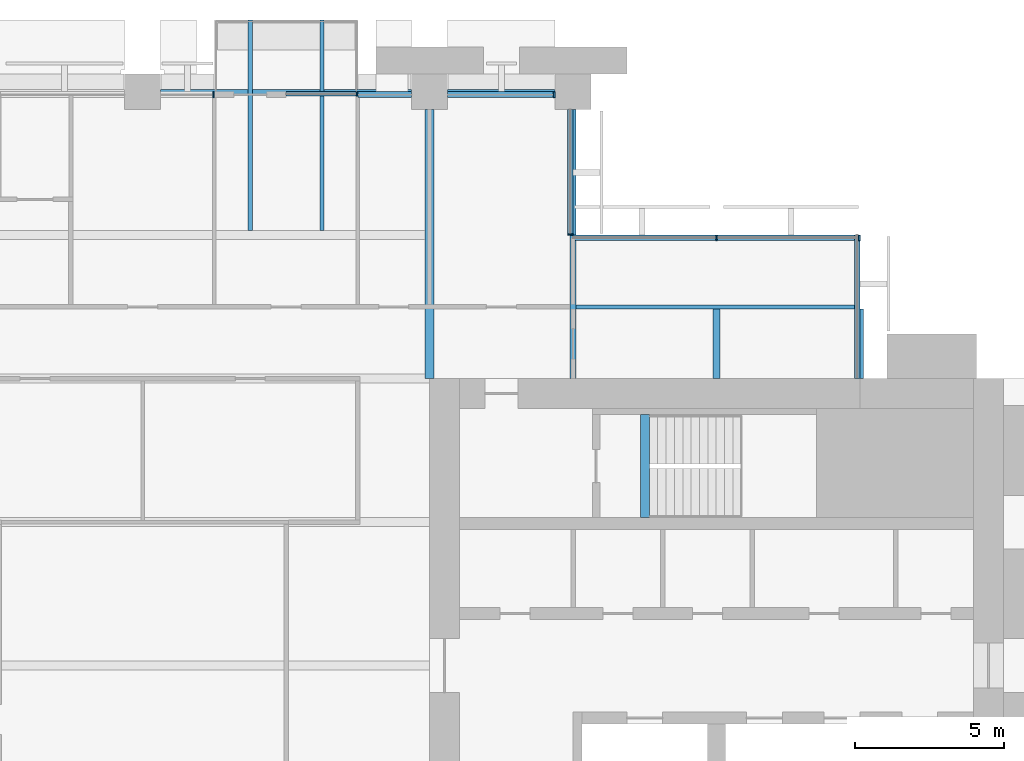
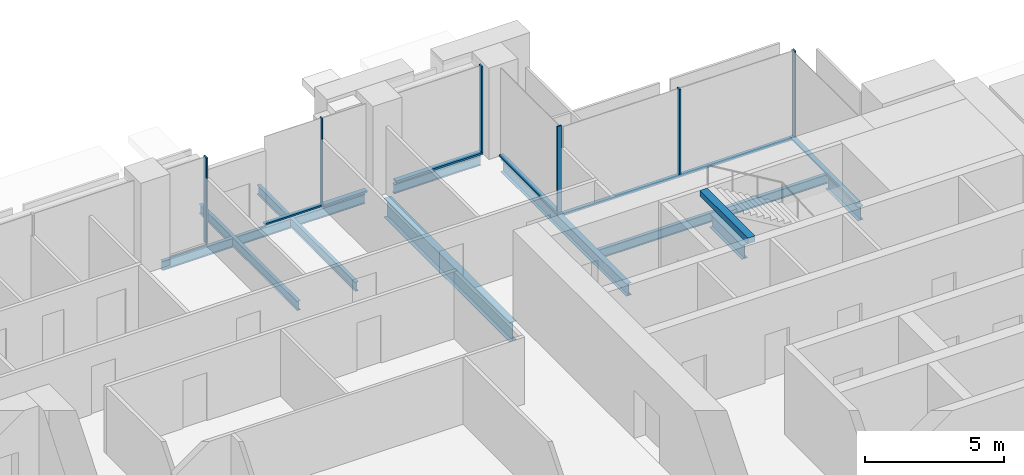
# One storey, part 7 of 15: 12 beams, 12 members, 6 elements without a shape of their own.
"""IFC4 building model written with IfcOpenShell, lengths in metres."""

import ifcopenshell
import ifcopenshell.guid

model = None  # the IFC model being written
_history = None  # IfcOwnerHistory: only IFC2X3 demands one
_inside = {}  # id of a spatial element -> (the spatial element, [elements in it])
_under = {}  # id of a project, library or spatial element -> (it, [spatial elements below it])
_declared = {}  # id of a project -> (the project, [libraries it declares])
_typed = {}  # id of a type object -> (the type object, [elements of that type])
_made_of = {}  # id of a material, layer set ... -> (it, [elements and type objects made of it])


def new_model(schema):
    """Start an empty IFC model of exactly this schema.

    Asked for "IFC4X3", IfcOpenShell would pick the latest addendum, in which some entities
    have other attributes; the version numbers below select the first issue.
    IFC2X3 requires an IfcOwnerHistory on every rooted entity: one is made here for all.
    """
    global model, _history
    if schema == "IFC4X3":
        model = ifcopenshell.file(schema_version=(4, 3, 0, 0))
    else:
        model = ifcopenshell.file(schema=schema)
    _inside.clear()
    _under.clear()
    _declared.clear()
    _typed.clear()
    _made_of.clear()
    _history = None
    if model.schema == "IFC2X3":
        org = make("IfcOrganization", Name="unknown")
        user = make(
            "IfcPersonAndOrganization",
            ThePerson=make("IfcPerson", FamilyName="unknown"),
            TheOrganization=org,
        )
        app = make(
            "IfcApplication",
            ApplicationDeveloper=org,
            Version="unknown",
            ApplicationFullName="unknown",
            ApplicationIdentifier="unknown",
        )
        _history = make(
            "IfcOwnerHistory",
            OwningUser=user,
            OwningApplication=app,
            ChangeAction="ADDED",
            CreationDate=0,
        )
    return model


def make(cls, **values):
    """One entity of the class cls with the attributes given. An attribute that is None is left unset."""
    return model.create_entity(
        cls, **{name: value for name, value in values.items() if value is not None}
    )


def rooted(cls, **values):
    """An entity with a GlobalId (a new one), such as an element, a storey or a relation."""
    return make(cls, GlobalId=ifcopenshell.guid.new(), OwnerHistory=_history, **values)


def si_unit(unit_type, name, prefix=None):
    """IfcSIUnit, for example si_unit("LENGTHUNIT", "METRE", prefix="MILLI")."""
    return make("IfcSIUnit", UnitType=unit_type, Prefix=prefix, Name=name)


def assignment(units):
    """IfcUnitAssignment: the units of a project."""
    return None if units is None else make("IfcUnitAssignment", Units=units)


def point(xyz):
    """IfcCartesianPoint."""
    return None if xyz is None else make("IfcCartesianPoint", Coordinates=xyz)


def direction(xyz):
    """IfcDirection."""
    return None if xyz is None else make("IfcDirection", DirectionRatios=xyz)


def frame(location, z_axis=None, x_axis=None):
    """IfcAxis2Placement3D, a coordinate frame: its origin and axes. An axis left out is left unset."""
    return make(
        "IfcAxis2Placement3D",
        Location=point(location),
        Axis=direction(z_axis),
        RefDirection=direction(x_axis),
    )


def frame_2d(location, x_axis=None):
    """IfcAxis2Placement2D, a coordinate frame in the plane: its origin and x axis."""
    return make(
        "IfcAxis2Placement2D", Location=point(location), RefDirection=direction(x_axis)
    )


def origin():
    """The frame at (0, 0, 0) with its axes left unset."""
    return frame((0.0, 0.0, 0.0))


def origin_2d():
    """The frame at (0, 0) in the plane with its x axis left unset."""
    return frame_2d((0.0, 0.0))


def place(relative_to, where):
    """IfcLocalPlacement: puts the frame where relative to a parent placement (None: the world)."""
    return make(
        "IfcLocalPlacement", PlacementRelTo=relative_to, RelativePlacement=where
    )


def context(
    kind, dimensions, precision=None, world=None, true_north=None, identifier=None
):
    """IfcGeometricRepresentationContext, for example the 3D "Model" context."""
    return make(
        "IfcGeometricRepresentationContext",
        ContextIdentifier=identifier,
        ContextType=kind,
        CoordinateSpaceDimension=dimensions,
        Precision=precision,
        WorldCoordinateSystem=world,
        TrueNorth=true_north,
    )


def subcontext(parent, identifier, kind, view, scale=None):
    """IfcGeometricRepresentationSubContext, for example "Body" below "Model"."""
    return make(
        "IfcGeometricRepresentationSubContext",
        ContextIdentifier=identifier,
        ContextType=kind,
        ParentContext=parent,
        TargetScale=scale,
        TargetView=view,
    )


def project(units=None, contexts=None):
    """IfcProject with its units and contexts."""
    return rooted(
        "IfcProject",
        Name="project",
        RepresentationContexts=contexts,
        UnitsInContext=assignment(units),
    )


def spatial(cls, under=None, at=None, **own):
    """A site, building, storey or space (cls), placed at a placement, below another one or the project."""
    s = rooted(cls, ObjectPlacement=at, **own)
    if under is not None:
        _under.setdefault(under.id(), (under, []))[1].append(s)
    return s


def profile(cls, at=None, kind="AREA", **sizes):
    """A parametric profile (cls). Its sizes go by their IFC names, for example OverallWidth=200.0."""
    return make(cls, ProfileType=kind, Position=at, **sizes)


def rectangle(**sizes):
    """IfcRectangleProfileDef."""
    return profile("IfcRectangleProfileDef", **sizes)


def i_section(**sizes):
    """IfcIShapeProfileDef."""
    return profile("IfcIShapeProfileDef", **sizes)


def extrude(swept, where, along, depth):
    """IfcExtrudedAreaSolid: the profile swept, set in the frame where, extruded along a direction by depth."""
    return make(
        "IfcExtrudedAreaSolid",
        SweptArea=swept,
        Position=where,
        ExtrudedDirection=direction(along),
        Depth=depth,
    )


def shape(context_of_items, identifier, shape_type, items):
    """IfcShapeRepresentation: the items that make up one representation, for example the "Body"."""
    return make(
        "IfcShapeRepresentation",
        ContextOfItems=context_of_items,
        RepresentationIdentifier=identifier,
        RepresentationType=shape_type,
        Items=items,
    )


def material(Name=None, Category=None):
    """IfcMaterial."""
    return make("IfcMaterial", Name=Name, Category=Category)


def material_profile(
    of_material, cross_section, Name=None, Category=None, Priority=None
):
    """IfcMaterialProfile: a cross section and its material."""
    return make(
        "IfcMaterialProfile",
        Name=Name,
        Material=of_material,
        Profile=cross_section,
        Priority=Priority,
        Category=Category,
    )


def profile_set(profiles, Name=None, composite=None):
    """IfcMaterialProfileSet."""
    return make(
        "IfcMaterialProfileSet",
        Name=Name,
        MaterialProfiles=profiles,
        CompositeProfile=composite,
    )


def made_of(thing, what):
    """Note that an element or type object is made of a material, layer set ...; save() writes the relation."""
    if what is not None:
        _made_of.setdefault(what.id(), (what, []))[1].append(thing)
    return thing


def type_object(cls, material=None, **own):
    """A type object (cls), such as IfcWallType, which elements share."""
    return made_of(rooted(cls, **own), material)


def element(
    cls,
    number,
    at=None,
    inside=None,
    cuts=None,
    type_object=None,
    material=None,
    context=None,
    identifier="Body",
    shape_type=None,
    held_by="IfcProductDefinitionShape",
    body=None,
    shapes=None,
    **own,
):
    """One element of the class cls, such as IfcWall. Its Tag is "e" and its number.

    at: its placement. inside: the storey or other place that contains it. cuts: it is an
    opening in that element (IfcRelVoidsElement). A single representation is given by context,
    identifier, shape_type and body (its items); several are given by shapes. held_by: the class
    of the entity that holds the representations. save() writes the other relations.
    """
    e = rooted(cls, Tag="e%d" % number, ObjectPlacement=at, **own)
    if body is not None:
        shapes = [shape(context, identifier, shape_type, body)]
    if shapes is not None:
        e.Representation = make(held_by, Representations=shapes)
    if inside is not None:
        _inside.setdefault(inside.id(), (inside, []))[1].append(e)
    if cuts is not None:
        rooted(
            "IfcRelVoidsElement", RelatingBuildingElement=cuts, RelatedOpeningElement=e
        )
    if type_object is not None:
        _typed.setdefault(type_object.id(), (type_object, []))[1].append(e)
    return made_of(e, material)


def aggregate(whole, parts):
    """IfcRelAggregates: a whole, such as a stair, and the parts it consists of."""
    return rooted("IfcRelAggregates", RelatingObject=whole, RelatedObjects=parts)


def save(model, path):
    """Write the relations noted so far, then the file.

    IfcRelAggregates (storeys below a building ...), IfcRelContainedInSpatialStructure (elements
    in a storey), IfcRelDefinesByType, IfcRelAssociatesMaterial and IfcRelDeclares: one each for
    every whole, place, type object, material and project.
    """
    for whole, parts in _under.values():
        aggregate(whole, parts)
    for where, things in _inside.values():
        rooted(
            "IfcRelContainedInSpatialStructure",
            RelatedElements=things,
            RelatingStructure=where,
        )
    for kind, things in _typed.values():
        rooted("IfcRelDefinesByType", RelatedObjects=things, RelatingType=kind)
    for what, things in _made_of.values():
        rooted("IfcRelAssociatesMaterial", RelatedObjects=things, RelatingMaterial=what)
    for by, libraries in _declared.values():
        rooted("IfcRelDeclares", RelatingContext=by, RelatedDefinitions=libraries)
    model.write(path)


model = new_model("IFC4")

# Units and contexts
model_context = context("Model", 3, precision=1e-05, world=origin(), true_north=direction((0.0, 1.0)))
body_context = subcontext(model_context, "Body", "Model", "MODEL_VIEW")
ifc_project = project(units=[si_unit("LENGTHUNIT", "METRE"), si_unit("AREAUNIT", "SQUARE_METRE"), si_unit("VOLUMEUNIT", "CUBIC_METRE"), si_unit("PLANEANGLEUNIT", "RADIAN"), si_unit("MASSUNIT", "GRAM", prefix="KILO")], contexts=[model_context])

# Site, building, storey
site_placement = place(None, origin())
site = spatial("IfcSite", under=ifc_project, at=site_placement, CompositionType="ELEMENT")
building_placement = place(site_placement, origin())
building = spatial("IfcBuilding", under=site, at=building_placement, Name="Baori Bourse Tower", CompositionType="ELEMENT")
storey_placement = place(building_placement, frame((0.0, 0.0, 116.10009765625)))
storey = spatial("IfcBuildingStorey", under=building, at=storey_placement, Name="L24", CompositionType="ELEMENT", Elevation=116.10009765625)

# Beams
ifc_material_1 = material(Name="Steel A992 Gr 50", Category="steel")
ifc_material_profile_1 = material_profile(ifc_material_1, i_section(OverallWidth=0.140380859375, OverallDepth=0.40380859375, WebThickness=0.007080078125, FlangeThickness=0.01123046875, at=origin_2d()), Name="W16x31")
ifc_profile_set_1 = profile_set([ifc_material_profile_1], Name="Steel A992 Gr 50")
beam_type_1 = type_object("IfcBeamType", Name="Balcony beam W16x31", PredefinedType="BEAM", material=ifc_profile_set_1)
for number, where, z_axis, x_axis, name in (
    (1, (32.39990234375, 50.39990234375, -0.362060546875), (0.0, -1.0, 0.0), (1.0, 0.0, 0.0), "Balcony beam L24"),
    (2, (34.800048828125, 50.39990234375, -0.362060546875), (0.0, -1.0, 0.0), (1.0, 0.0, 0.0), "Balcony beam L24"),
):
    element("IfcBeam", number, at=place(storey_placement, frame(where, z_axis=z_axis, x_axis=x_axis)), inside=storey, type_object=beam_type_1, Name=name, PredefinedType="BEAM", context=body_context, shape_type="SweptSolid", body=[
        extrude(i_section(OverallWidth=0.140380859375, OverallDepth=0.40380859375, WebThickness=0.007080078125, FlangeThickness=0.01123046875, at=origin_2d()), origin(), (0.0, 0.0, 1.0), 7.050048828125),
    ])

# Curtain wall, member
ifc_material_2 = material(Name="Pale anodised aluminium", Category="aluminium")
curtain_wall_type_1 = type_object("IfcCurtainWallType", Name="CW1 Curtain wall", PredefinedType="NOTDEFINED", material=ifc_material_2)
curtain_wall_1_placement = place(storey_placement, origin())
curtain_wall_1 = element("IfcCurtainWall", 3, at=curtain_wall_1_placement, inside=storey, type_object=curtain_wall_type_1, Name="Curtain wall CW1 L24 4", PredefinedType="NOTDEFINED")
ifc_material_3 = material(Name="Pale anodised aluminium", Category="aluminium")
ifc_material_profile_2 = material_profile(ifc_material_3, rectangle(XDim=0.199951171875, YDim=0.06005859375, at=origin_2d()), Name="Mullion 60x200")
ifc_profile_set_2 = profile_set([ifc_material_profile_2], Name="Pale anodised aluminium")
member_type_1 = type_object("IfcMemberType", Name="CW1 Curtain wall mullion", PredefinedType="MULLION", material=ifc_profile_set_2)
member_1_placement = place(storey_placement, frame((42.570068359375, 47.89990234375, 0.079833984375), z_axis=(0.0, 0.0, 1.0), x_axis=(0.0, -1.0, 0.0)))
member_1 = element("IfcMember", 4, at=member_1_placement, type_object=member_type_1, Name="Curtain wall CW1 mullion", PredefinedType="MULLION", context=body_context, shape_type="SweptSolid", body=[
    extrude(rectangle(XDim=0.199951171875, YDim=0.06005859375, at=origin_2d()), origin(), (0.0, 0.0, 1.0), 3.760009765625),
])

curtain_wall_2_placement = place(storey_placement, origin())
curtain_wall_2 = element("IfcCurtainWall", 5, at=curtain_wall_2_placement, inside=storey, type_object=curtain_wall_type_1, Name="Curtain wall CW1 L24 6", PredefinedType="NOTDEFINED")
member_2_placement = place(storey_placement, frame((31.169921875, 47.89990234375, 0.079833984375), z_axis=(0.0, 0.0, 1.0), x_axis=(0.0, -1.0, 0.0)))
member_2 = element("IfcMember", 6, at=member_2_placement, type_object=member_type_1, Name="Curtain wall CW1 mullion", PredefinedType="MULLION", context=body_context, shape_type="SweptSolid", body=[
    extrude(rectangle(XDim=0.199951171875, YDim=0.06005859375, at=origin_2d()), origin(), (0.0, 0.0, 1.0), 3.760009765625),
])
aggregate(curtain_wall_2, [member_2])

# Member
ifc_material_4 = material(Name="Pale anodised aluminium", Category="aluminium")
ifc_material_profile_3 = material_profile(ifc_material_4, rectangle(XDim=0.199951171875, YDim=0.080078125, at=origin_2d()), Name="Transom 80x200")
ifc_profile_set_3 = profile_set([ifc_material_profile_3], Name="Pale anodised aluminium")
member_type_2 = type_object("IfcMemberType", Name="CW1 Curtain wall transom", PredefinedType="USERDEFINED", material=ifc_profile_set_3)
member_3_placement = place(storey_placement, frame((42.60009765625, 47.89990234375, 0.039794921875), z_axis=(-1.0, 0.0, 0.0), x_axis=(0.0, -1.0, 0.0)))
member_3 = element("IfcMember", 7, at=member_3_placement, type_object=member_type_2, Name="Curtain wall CW1 sill rail", ObjectType="TRANSOM", PredefinedType="USERDEFINED", context=body_context, shape_type="SweptSolid", body=[
    extrude(rectangle(XDim=0.199951171875, YDim=0.080078125, at=origin_2d()), origin(), (0.0, 0.0, 1.0), 3.60009765625),
])

member_4_placement = place(storey_placement, frame((37.800048828125, 47.89990234375, 0.039794921875), z_axis=(-1.0, 0.0, 0.0), x_axis=(0.0, -1.0, 0.0)))
member_4 = element("IfcMember", 8, at=member_4_placement, type_object=member_type_2, Name="Curtain wall CW1 sill rail", ObjectType="TRANSOM", PredefinedType="USERDEFINED", context=body_context, shape_type="SweptSolid", body=[
    extrude(rectangle(XDim=0.199951171875, YDim=0.080078125, at=origin_2d()), origin(), (0.0, 0.0, 1.0), 1.800048828125),
])

aggregate(curtain_wall_1, [member_3, member_1, member_4])

# Curtain wall, members
ifc_material_5 = material(Name="Pale anodised aluminium", Category="aluminium")
curtain_wall_type_2 = type_object("IfcCurtainWallType", Name="CW2 Curtain wall", PredefinedType="NOTDEFINED", material=ifc_material_5)
curtain_wall_3_placement = place(storey_placement, origin())
curtain_wall_3 = element("IfcCurtainWall", 9, at=curtain_wall_3_placement, inside=storey, type_object=curtain_wall_type_2, Name="Curtain wall CW2 L24 2", PredefinedType="NOTDEFINED")
ifc_material_6 = material(Name="Pale anodised aluminium", Category="aluminium")
ifc_material_profile_4 = material_profile(ifc_material_6, rectangle(XDim=0.179931640625, YDim=0.054931640625, at=origin_2d()), Name="Mullion 55x180")
ifc_profile_set_4 = profile_set([ifc_material_profile_4], Name="Pale anodised aluminium")
member_type_3 = type_object("IfcMemberType", Name="CW2 Curtain wall mullion", PredefinedType="MULLION", material=ifc_profile_set_4)
member_5_placement = place(storey_placement, frame((52.7724609375, 43.110107421875, 0.06982421875), z_axis=(0.0, 0.0, 1.0), x_axis=(0.0, -1.0, 0.0)))
member_5 = element("IfcMember", 10, at=member_5_placement, type_object=member_type_3, Name="Curtain wall CW2 mullion", PredefinedType="MULLION", context=body_context, shape_type="SweptSolid", body=[
    extrude(rectangle(XDim=0.179931640625, YDim=0.054931640625, at=origin_2d()), origin(), (0.0, 0.0, 1.0), 3.77001953125),
])
member_6_placement = place(storey_placement, frame((48.0, 43.110107421875, 0.06982421875), z_axis=(0.0, 0.0, 1.0), x_axis=(0.0, -1.0, 0.0)))
member_6 = element("IfcMember", 11, at=member_6_placement, type_object=member_type_3, Name="Curtain wall CW2 mullion", PredefinedType="MULLION", context=body_context, shape_type="SweptSolid", body=[
    extrude(rectangle(XDim=0.179931640625, YDim=0.054931640625, at=origin_2d()), origin(), (0.0, 0.0, 1.0), 3.77001953125),
])

# Curtain wall, member
curtain_wall_4_placement = place(storey_placement, origin())
curtain_wall_4 = element("IfcCurtainWall", 12, at=curtain_wall_4_placement, inside=storey, type_object=curtain_wall_type_2, Name="Curtain wall CW2 L24 3", PredefinedType="NOTDEFINED")
member_7_placement = place(storey_placement, frame((43.110107421875, 43.2275390625, 0.06982421875), z_axis=(0.0, 0.0, 1.0), x_axis=(-1.0, 0.0, 0.0)))
member_7 = element("IfcMember", 13, at=member_7_placement, type_object=member_type_3, Name="Curtain wall CW2 mullion", PredefinedType="MULLION", context=body_context, shape_type="SweptSolid", body=[
    extrude(rectangle(XDim=0.179931640625, YDim=0.054931640625, at=origin_2d()), origin(), (0.0, 0.0, 1.0), 3.77001953125),
])

curtain_wall_5_placement = place(storey_placement, origin())
curtain_wall_5 = element("IfcCurtainWall", 14, at=curtain_wall_5_placement, inside=storey, type_object=curtain_wall_type_2, Name="Curtain wall CW2 L24 1", PredefinedType="NOTDEFINED")
ifc_material_7 = material(Name="Pale anodised aluminium", Category="aluminium")
ifc_material_profile_5 = material_profile(ifc_material_7, rectangle(XDim=0.179931640625, YDim=0.070068359375, at=origin_2d()), Name="Transom 70x180")
ifc_profile_set_5 = profile_set([ifc_material_profile_5], Name="Pale anodised aluminium")
member_type_4 = type_object("IfcMemberType", Name="CW2 Curtain wall transom", PredefinedType="USERDEFINED", material=ifc_profile_set_5)
member_8_placement = place(storey_placement, frame((52.7099609375, 38.39990234375, 0.034912109375), z_axis=(0.0, 1.0, 0.0), x_axis=(-1.0, 0.0, 0.0)))
member_8 = element("IfcMember", 15, at=member_8_placement, type_object=member_type_4, Name="Curtain wall CW2 sill rail", ObjectType="TRANSOM", PredefinedType="USERDEFINED", context=body_context, shape_type="SweptSolid", body=[
    extrude(rectangle(XDim=0.179931640625, YDim=0.070068359375, at=origin_2d()), origin(), (0.0, 0.0, 1.0), 4.800048828125),
])
aggregate(curtain_wall_5, [member_8])

# Member
member_9_placement = place(storey_placement, frame((52.800048828125, 43.110107421875, 0.034912109375), z_axis=(-1.0, 0.0, 0.0), x_axis=(0.0, -1.0, 0.0)))
member_9 = element("IfcMember", 16, at=member_9_placement, type_object=member_type_4, Name="Curtain wall CW2 sill rail", ObjectType="TRANSOM", PredefinedType="USERDEFINED", context=body_context, shape_type="SweptSolid", body=[
    extrude(rectangle(XDim=0.179931640625, YDim=0.070068359375, at=origin_2d()), origin(), (0.0, 0.0, 1.0), 9.60009765625),
])

aggregate(curtain_wall_3, [member_9, member_5, member_6])

member_10_placement = place(storey_placement, frame((43.110107421875, 43.199951171875, 0.034912109375), z_axis=(0.0, 1.0, 0.0), x_axis=(-1.0, 0.0, 0.0)))
member_10 = element("IfcMember", 17, at=member_10_placement, type_object=member_type_4, Name="Curtain wall CW2 sill rail", ObjectType="TRANSOM", PredefinedType="USERDEFINED", context=body_context, shape_type="SweptSolid", body=[
    extrude(rectangle(XDim=0.179931640625, YDim=0.070068359375, at=origin_2d()), origin(), (0.0, 0.0, 1.0), 4.199951171875),
])

aggregate(curtain_wall_4, [member_10, member_7])

# Curtain wall, members
ifc_material_8 = material(Name="Pale anodised aluminium", Category="aluminium")
curtain_wall_type_3 = type_object("IfcCurtainWallType", Name="CW6 Curtain wall", PredefinedType="NOTDEFINED", material=ifc_material_8)
curtain_wall_6_placement = place(storey_placement, origin())
curtain_wall_6 = element("IfcCurtainWall", 18, at=curtain_wall_6_placement, inside=storey, type_object=curtain_wall_type_3, Name="Curtain wall CW6 L24 5", PredefinedType="NOTDEFINED")
ifc_material_9 = material(Name="Pale anodised aluminium", Category="aluminium")
ifc_material_profile_6 = material_profile(ifc_material_9, rectangle(XDim=0.14990234375, YDim=0.050048828125, at=origin_2d()), Name="Mullion 50x150")
ifc_profile_set_6 = profile_set([ifc_material_profile_6], Name="Pale anodised aluminium")
member_type_5 = type_object("IfcMemberType", Name="CW6 Curtain wall mullion", PredefinedType="MULLION", material=ifc_profile_set_6)
member_11_placement = place(storey_placement, frame((35.97509765625, 47.925048828125, 0.06494140625), z_axis=(0.0, 0.0, 1.0), x_axis=(0.0, -1.0, 0.0)))
member_11 = element("IfcMember", 19, at=member_11_placement, type_object=member_type_5, Name="Curtain wall CW6 mullion", PredefinedType="MULLION", context=body_context, shape_type="SweptSolid", body=[
    extrude(rectangle(XDim=0.14990234375, YDim=0.050048828125, at=origin_2d()), origin(), (0.0, 0.0, 1.0), 3.77490234375),
])
ifc_material_10 = material(Name="Pale anodised aluminium", Category="aluminium")
ifc_material_profile_7 = material_profile(ifc_material_10, rectangle(XDim=0.14990234375, YDim=0.06494140625, at=origin_2d()), Name="Transom 65x150")
ifc_profile_set_7 = profile_set([ifc_material_profile_7], Name="Pale anodised aluminium")
member_type_6 = type_object("IfcMemberType", Name="CW6 Curtain wall transom", PredefinedType="USERDEFINED", material=ifc_profile_set_7)
member_12_placement = place(storey_placement, frame((36.0, 47.925048828125, 0.032470703125), z_axis=(-1.0, 0.0, 0.0), x_axis=(0.0, -1.0, 0.0)))
member_12 = element("IfcMember", 20, at=member_12_placement, type_object=member_type_6, Name="Curtain wall CW6 sill rail", ObjectType="TRANSOM", PredefinedType="USERDEFINED", context=body_context, shape_type="SweptSolid", body=[
    extrude(rectangle(XDim=0.14990234375, YDim=0.06494140625, at=origin_2d()), origin(), (0.0, 0.0, 1.0), 2.39990234375),
])
aggregate(curtain_wall_6, [member_12, member_11])

# Beams
ifc_material_11 = material(Name="Steel A992 Gr 50", Category="steel")
ifc_material_profile_8 = material_profile(ifc_material_11, i_section(OverallWidth=0.227783203125, OverallDepth=0.60205078125, WebThickness=0.010498046875, FlangeThickness=0.014892578125, at=origin_2d()), Name="W24x68")
ifc_profile_set_8 = profile_set([ifc_material_profile_8], Name="Steel A992 Gr 50")
beam_type_2 = type_object("IfcBeamType", Name="Core bracket W24x68", PredefinedType="BEAM", material=ifc_profile_set_8)
for number, where, z_axis, x_axis, name in (
    (21, (48.0, 38.39990234375, -0.461181640625), (0.0, 1.0, 0.0), (-1.0, 0.0, 0.0), "Core bracket L24"),
    (22, (52.800048828125, 38.39990234375, -0.461181640625), (0.0, 1.0, 0.0), (-1.0, 0.0, 0.0), "Core bracket L24"),
):
    element("IfcBeam", number, at=place(storey_placement, frame(where, z_axis=z_axis, x_axis=x_axis)), inside=storey, type_object=beam_type_2, Name=name, PredefinedType="BEAM", context=body_context, shape_type="SweptSolid", body=[
        extrude(i_section(OverallWidth=0.227783203125, OverallDepth=0.60205078125, WebThickness=0.010498046875, FlangeThickness=0.014892578125, at=origin_2d()), origin(), (0.0, 0.0, 1.0), 2.329833984375),
    ])
ifc_material_12 = material(Name="Steel A992 Gr 50", Category="steel")
ifc_material_profile_9 = material_profile(ifc_material_12, i_section(OverallWidth=0.140380859375, OverallDepth=0.40380859375, WebThickness=0.007080078125, FlangeThickness=0.01123046875, at=origin_2d()), Name="W16x31")
ifc_profile_set_9 = profile_set([ifc_material_profile_9], Name="Steel A992 Gr 50")
beam_type_3 = type_object("IfcBeamType", Name="Edge beam W16x31", PredefinedType="BEAM", material=ifc_profile_set_9)
beam_1_placement = place(storey_placement, frame((29.39990234375, 48.0, -0.362060546875), z_axis=(1.0, 0.0, 0.0), x_axis=(0.0, 1.0, 0.0)))
element("IfcBeam", 23, at=beam_1_placement, inside=storey, type_object=beam_type_3, Name="Edge beam L24", PredefinedType="BEAM", context=body_context, shape_type="SweptSolid", body=[
    extrude(i_section(OverallWidth=0.140380859375, OverallDepth=0.40380859375, WebThickness=0.007080078125, FlangeThickness=0.01123046875, at=origin_2d()), origin(), (0.0, 0.0, 1.0), 2.929931640625),
])
beam_2_placement = place(storey_placement, frame((32.47021484375, 48.0, -0.362060546875), z_axis=(1.0, 0.0, 0.0), x_axis=(0.0, 1.0, 0.0)))
element("IfcBeam", 24, at=beam_2_placement, inside=storey, type_object=beam_type_3, Name="Edge beam L24", PredefinedType="BEAM", context=body_context, shape_type="SweptSolid", body=[
    extrude(i_section(OverallWidth=0.140380859375, OverallDepth=0.40380859375, WebThickness=0.007080078125, FlangeThickness=0.01123046875, at=origin_2d()), origin(), (0.0, 0.0, 1.0), 2.259521484375),
])
beam_3_placement = place(storey_placement, frame((34.8701171875, 48.0, -0.362060546875), z_axis=(1.0, 0.0, 0.0), x_axis=(0.0, 1.0, 0.0)))
element("IfcBeam", 25, at=beam_3_placement, inside=storey, type_object=beam_type_3, Name="Edge beam L24", PredefinedType="BEAM", context=body_context, shape_type="SweptSolid", body=[
    extrude(i_section(OverallWidth=0.140380859375, OverallDepth=0.40380859375, WebThickness=0.007080078125, FlangeThickness=0.01123046875, at=origin_2d()), origin(), (0.0, 0.0, 1.0), 2.929931640625),
])
beam_4_placement = place(storey_placement, frame((39.0, 48.0, -0.362060546875), z_axis=(1.0, 0.0, 0.0), x_axis=(0.0, 1.0, 0.0)))
element("IfcBeam", 26, at=beam_4_placement, inside=storey, type_object=beam_type_3, Name="Edge beam L24", PredefinedType="BEAM", context=body_context, shape_type="SweptSolid", body=[
    extrude(i_section(OverallWidth=0.140380859375, OverallDepth=0.40380859375, WebThickness=0.007080078125, FlangeThickness=0.01123046875, at=origin_2d()), origin(), (0.0, 0.0, 1.0), 3.60009765625),
])
ifc_material_13 = material(Name="Steel A992 Gr 50", Category="steel")
ifc_material_profile_10 = material_profile(ifc_material_13, i_section(OverallWidth=0.21240234375, OverallDepth=0.54345703125, WebThickness=0.01318359375, FlangeThickness=0.021240234375, at=origin_2d()), Name="W21x83")
ifc_profile_set_10 = profile_set([ifc_material_profile_10], Name="Steel A992 Gr 50")
beam_type_4 = type_object("IfcBeamType", Name="Floor beam W21x83", PredefinedType="BEAM", material=ifc_profile_set_10)
beam_5_placement = place(storey_placement, frame((43.199951171875, 38.39990234375, -0.431884765625), z_axis=(0.0, 1.0, 0.0), x_axis=(-1.0, 0.0, 0.0)))
element("IfcBeam", 27, at=beam_5_placement, inside=storey, type_object=beam_type_4, Name="Floor beam L24", PredefinedType="BEAM", context=body_context, shape_type="SweptSolid", body=[
    extrude(i_section(OverallWidth=0.21240234375, OverallDepth=0.54345703125, WebThickness=0.01318359375, FlangeThickness=0.021240234375, at=origin_2d()), origin(), (0.0, 0.0, 1.0), 9.0),
])
ifc_material_14 = material(Name="Steel A992 Gr 50", Category="steel")
ifc_material_profile_11 = material_profile(ifc_material_14, i_section(OverallWidth=0.2919921875, OverallDepth=0.835693359375, WebThickness=0.013916015625, FlangeThickness=0.018798828125, at=origin_2d()), Name="W33x118")
ifc_profile_set_11 = profile_set([ifc_material_profile_11], Name="Steel A992 Gr 50")
beam_type_5 = type_object("IfcBeamType", Name="Girder W33x118", PredefinedType="BEAM", material=ifc_profile_set_11)
beam_6_placement = place(storey_placement, frame((38.39990234375, 38.39990234375, -0.577880859375), z_axis=(0.0, 1.0, 0.0), x_axis=(-1.0, 0.0, 0.0)))
element("IfcBeam", 28, at=beam_6_placement, inside=storey, type_object=beam_type_5, Name="Girder L24", PredefinedType="BEAM", context=body_context, shape_type="SweptSolid", body=[
    extrude(i_section(OverallWidth=0.2919921875, OverallDepth=0.835693359375, WebThickness=0.013916015625, FlangeThickness=0.018798828125, at=origin_2d()), origin(), (0.0, 0.0, 1.0), 9.0),
])
ifc_material_15 = material(Name="Concrete f'c 50 MPa", Category="concrete")
ifc_material_profile_12 = material_profile(ifc_material_15, rectangle(XDim=0.300048828125, YDim=0.25, at=origin_2d()), Name="RC 300x250")
ifc_profile_set_12 = profile_set([ifc_material_profile_12], Name="Concrete f'c 50 MPa")
beam_type_6 = type_object("IfcBeamType", Name="Stair nib beam RC 300x250", PredefinedType="BEAM", material=ifc_profile_set_12)
beam_7_placement = place(storey_placement, frame((45.60009765625, 33.75, 3.71484375), z_axis=(0.0, 1.0, 0.0), x_axis=(-1.0, 0.0, 0.0)))
element("IfcBeam", 29, at=beam_7_placement, inside=storey, type_object=beam_type_6, Name="Stair EB nib beam L25", PredefinedType="BEAM", context=body_context, shape_type="SweptSolid", body=[
    extrude(rectangle(XDim=0.300048828125, YDim=0.25, at=origin_2d()), origin(), (0.0, 0.0, 1.0), 3.449951171875),
])
ifc_material_16 = material(Name="Steel A992 Gr 50", Category="steel")
ifc_material_profile_13 = material_profile(ifc_material_16, i_section(OverallWidth=0.140380859375, OverallDepth=0.40380859375, WebThickness=0.007080078125, FlangeThickness=0.01123046875, at=origin_2d()), Name="W16x31")
ifc_profile_set_13 = profile_set([ifc_material_profile_13], Name="Steel A992 Gr 50")
beam_type_7 = type_object("IfcBeamType", Name="Trimmer beam W16x31", PredefinedType="BEAM", material=ifc_profile_set_13)
beam_8_placement = place(storey_placement, frame((43.30615234375, 40.800048828125, -0.362060546875), z_axis=(1.0, 0.0, 0.0), x_axis=(0.0, 1.0, 0.0)))
element("IfcBeam", 30, at=beam_8_placement, inside=storey, type_object=beam_type_7, Name="Trimmer beam L24", PredefinedType="BEAM", context=body_context, shape_type="SweptSolid", body=[
    extrude(i_section(OverallWidth=0.140380859375, OverallDepth=0.40380859375, WebThickness=0.007080078125, FlangeThickness=0.01123046875, at=origin_2d()), origin(), (0.0, 0.0, 1.0), 9.493896484375),
])

save(model, "model.ifc")
